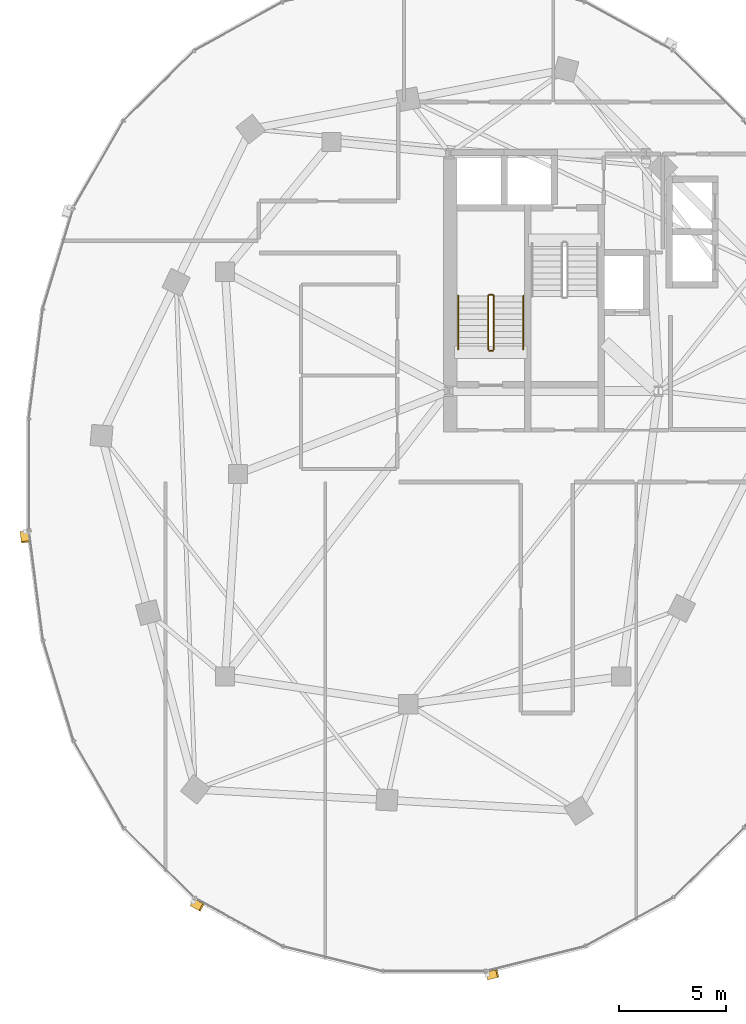
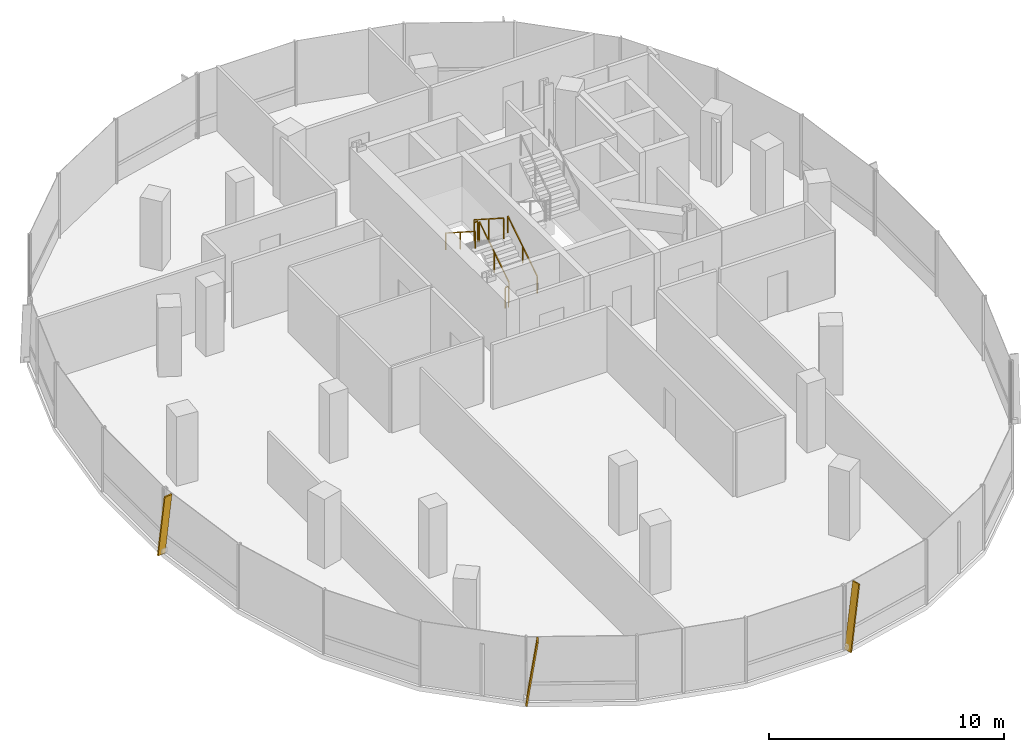
# One storey, part 18 of 22: 6 railings, 3 shading devices.
"""IFC4 building model written with IfcOpenShell, lengths in metres."""

from ifc_helpers import new_model, si_unit, direction, frame, origin, origin_2d, place, context, subcontext, project, spatial, rectangle, extrude, material, material_profile, profile_set, type_object, element, save


model = new_model("IFC4")

# Units and contexts
model_context = context("Model", 3, precision=1e-05, world=origin(), true_north=direction((0.0, 1.0)))
body_context = subcontext(model_context, "Body", "Model", "MODEL_VIEW")
ifc_project = project(units=[si_unit("LENGTHUNIT", "METRE"), si_unit("AREAUNIT", "SQUARE_METRE"), si_unit("VOLUMEUNIT", "CUBIC_METRE"), si_unit("PLANEANGLEUNIT", "RADIAN"), si_unit("MASSUNIT", "GRAM", prefix="KILO"), si_unit("THERMODYNAMICTEMPERATUREUNIT", "KELVIN"), si_unit("POWERUNIT", "WATT")], contexts=[model_context])

# Site, building, storey
site_placement = place(None, origin())
site = spatial("IfcSite", under=ifc_project, at=site_placement, CompositionType="ELEMENT")
building_placement = place(site_placement, origin())
building = spatial("IfcBuilding", under=site, at=building_placement, Name="Cundina Bronze Exchange", CompositionType="ELEMENT")
storey_placement = place(building_placement, frame((0.0, 0.0, 140.39990234375)))
storey = spatial("IfcBuildingStorey", under=building, at=storey_placement, Name="L36", CompositionType="ELEMENT", Elevation=140.39990234375)

# Railings
ifc_material_1 = material(Name="Steel ASTM A36 Painted", Category="steel")
railing_type_1 = type_object("IfcRailingType", Name="RLG-HND-900", PredefinedType="HANDRAIL", material=ifc_material_1)
railing_1_placement = place(storey_placement, frame((-27.7900390625, 5.85009765625, 0.18017578125)))
element("IfcRailing", 1, at=railing_1_placement, inside=storey, type_object=railing_type_1, Name="L36 ST-W1 stair handrail 1", PredefinedType="HANDRAIL", context=body_context, shape_type="SweptSolid", body=[
    extrude(rectangle(XDim=0.048095703125, YDim=0.048095703125, at=origin_2d()), frame((0.0, 0.0, 0.8759765625), z_axis=(0.0, 0.841199657755, 0.540724639528), x_axis=(-1.0, 0.0, 0.0)), (0.0, 0.0, 1.0), 2.995849609375),
    extrude(rectangle(XDim=0.0419921875, YDim=0.0419921875, at=origin_2d()), origin(), (0.0, 0.0, 1.0), 0.851806640625),
    extrude(rectangle(XDim=0.0419921875, YDim=0.0419921875, at=origin_2d()), frame((0.0, 1.260009765625, 0.81005859375)), (0.0, 0.0, 1.0), 0.851806640625),
    extrude(rectangle(XDim=0.0419921875, YDim=0.0419921875, at=origin_2d()), frame((0.0, 2.52001953125, 1.619873046875)), (0.0, 0.0, 1.0), 0.851806640625),
])
railing_2_placement = place(storey_placement, frame((-30.85009765625, 8.3701171875, 1.97998046875)))
element("IfcRailing", 2, at=railing_2_placement, inside=storey, type_object=railing_type_1, Name="L36 ST-W1 stair handrail 2", PredefinedType="HANDRAIL", context=body_context, shape_type="SweptSolid", body=[
    extrude(rectangle(XDim=0.048095703125, YDim=0.048095703125, at=origin_2d()), frame((0.0, 0.0, 0.8759765625), z_axis=(0.0, -0.841162588446, 0.540782303519), x_axis=(1.0, 0.0, 0.0)), (0.0, 0.0, 1.0), 2.995849609375),
    extrude(rectangle(XDim=0.0419921875, YDim=0.0419921875, at=origin_2d()), origin(), (0.0, 0.0, 1.0), 0.851806640625),
    extrude(rectangle(XDim=0.0419921875, YDim=0.0419921875, at=origin_2d()), frame((0.0, -1.260009765625, 0.81005859375)), (0.0, 0.0, 1.0), 0.851806640625),
    extrude(rectangle(XDim=0.0419921875, YDim=0.0419921875, at=origin_2d()), frame((0.0, -2.52001953125, 1.6201171875)), (0.0, 0.0, 1.0), 0.851806640625),
])
railing_type_2 = type_object("IfcRailingType", Name="RLG-STG-1100", PredefinedType="GUARDRAIL", material=ifc_material_1)
railing_3_placement = place(storey_placement, frame((-29.18994140625, 5.85009765625, 0.18017578125)))
element("IfcRailing", 3, at=railing_3_placement, inside=storey, type_object=railing_type_2, Name="L36 ST-W1 stair guard 1", PredefinedType="GUARDRAIL", context=body_context, shape_type="SweptSolid", body=[
    extrude(rectangle(XDim=0.048095703125, YDim=0.048095703125, at=origin_2d()), frame((0.0, 0.0, 1.076171875), z_axis=(0.0, 0.841199657755, 0.540724639528), x_axis=(-1.0, 0.0, 0.0)), (0.0, 0.0, 1.0), 2.995849609375),
    extrude(rectangle(XDim=0.0419921875, YDim=0.0419921875, at=origin_2d()), origin(), (0.0, 0.0, 1.0), 1.052001953125),
    extrude(rectangle(XDim=0.0419921875, YDim=0.0419921875, at=origin_2d()), frame((0.0, 1.260009765625, 0.81005859375)), (0.0, 0.0, 1.0), 1.052001953125),
    extrude(rectangle(XDim=0.0419921875, YDim=0.0419921875, at=origin_2d()), frame((0.0, 2.52001953125, 1.619873046875)), (0.0, 0.0, 1.0), 1.052001953125),
])
railing_4_placement = place(storey_placement, frame((-29.239990234375, 8.419921875, 1.800048828125)))
element("IfcRailing", 4, at=railing_4_placement, inside=storey, type_object=railing_type_2, Name="L36 ST-W1 stair guard 2", PredefinedType="GUARDRAIL", context=body_context, shape_type="SweptSolid", body=[
    extrude(rectangle(XDim=0.048095703125, YDim=0.048095703125, at=origin_2d()), frame((0.0, 0.0, 1.076171875), z_axis=(-1.0, 0.0, 0.0), x_axis=(0.0, -1.0, 0.0)), (0.0, 0.0, 1.0), 0.159912109375),
    extrude(rectangle(XDim=0.0419921875, YDim=0.0419921875, at=origin_2d()), origin(), (0.0, 0.0, 1.0), 1.052001953125),
    extrude(rectangle(XDim=0.0419921875, YDim=0.0419921875, at=origin_2d()), frame((-0.159912109375, 0.0, 0.0)), (0.0, 0.0, 1.0), 1.052001953125),
])
railing_5_placement = place(storey_placement, frame((-29.449951171875, 8.3701171875, 1.97998046875)))
element("IfcRailing", 5, at=railing_5_placement, inside=storey, type_object=railing_type_2, Name="L36 ST-W1 stair guard 3", PredefinedType="GUARDRAIL", context=body_context, shape_type="SweptSolid", body=[
    extrude(rectangle(XDim=0.048095703125, YDim=0.048095703125, at=origin_2d()), frame((0.0, 0.0, 1.076171875), z_axis=(0.0, -0.841162588446, 0.540782303519), x_axis=(1.0, 0.0, 0.0)), (0.0, 0.0, 1.0), 2.995849609375),
    extrude(rectangle(XDim=0.0419921875, YDim=0.0419921875, at=origin_2d()), origin(), (0.0, 0.0, 1.0), 1.052001953125),
    extrude(rectangle(XDim=0.0419921875, YDim=0.0419921875, at=origin_2d()), frame((0.0, -1.260009765625, 0.81005859375)), (0.0, 0.0, 1.0), 1.052001953125),
    extrude(rectangle(XDim=0.0419921875, YDim=0.0419921875, at=origin_2d()), frame((0.0, -2.52001953125, 1.6201171875)), (0.0, 0.0, 1.0), 1.052001953125),
])
railing_6_placement = place(storey_placement, frame((-29.239990234375, 5.800048828125, 0.0)))
element("IfcRailing", 6, at=railing_6_placement, inside=storey, type_object=railing_type_2, Name="L36 ST-W1 stair guard 4", PredefinedType="GUARDRAIL", context=body_context, shape_type="SweptSolid", body=[
    extrude(rectangle(XDim=0.048095703125, YDim=0.048095703125, at=origin_2d()), frame((0.0, 0.0, 1.076171875), z_axis=(-1.0, 0.0, 0.0), x_axis=(0.0, -1.0, 0.0)), (0.0, 0.0, 1.0), 0.159912109375),
    extrude(rectangle(XDim=0.0419921875, YDim=0.0419921875, at=origin_2d()), origin(), (0.0, 0.0, 1.0), 1.052001953125),
    extrude(rectangle(XDim=0.0419921875, YDim=0.0419921875, at=origin_2d()), frame((-0.159912109375, 0.0, 0.0)), (0.0, 0.0, 1.0), 1.052001953125),
])

# Shading devices
ifc_material_2 = material(Name="Anodised Bronze Aluminium 6063-T6", Category="aluminium")
ifc_material_profile = material_profile(ifc_material_2, rectangle(XDim=0.070068359375, YDim=0.3798828125, at=origin_2d()), Name="FIN70X380", Category="aluminium")
ifc_profile_set = profile_set([ifc_material_profile], Name="Anodised Bronze Aluminium 6063-T6")
shading_device_type = type_object("IfcShadingDeviceType", Name="SHD-FIN-BRZ380", PredefinedType="USERDEFINED", material=ifc_profile_set)
for number, where, z_axis, x_axis, name in (
    (7, (-51.23486328125, -2.705810546875, 0.02001953125), (0.018121805099, -0.141917750773, 0.989712560391), (-0.125360789044, 0.981741119016, 0.143070080046), "L36 Diagonal Bronze Solar Fin 1"),
    (8, (-43.320068359375, -20.11181640625, 0.02001953125), (0.125324460949, -0.068993954111, 0.989713905017), (-0.867011652888, 0.477309551067, 0.143060778049), "L36 Diagonal Bronze Solar Fin 5"),
    (9, (-29.48046875, -23.556396484375, 0.02001953125), (0.138788401144, 0.034715294885, 0.989713407007), (-0.960133415413, -0.240159223467, 0.14306422331), "L36 Diagonal Bronze Solar Fin 1"),
):
    element("IfcShadingDevice", number, at=place(storey_placement, frame(where, z_axis=z_axis, x_axis=x_axis)), inside=storey, type_object=shading_device_type, Name=name, ObjectType="FIN", PredefinedType="USERDEFINED", context=body_context, shape_type="SweptSolid", body=[
        extrude(rectangle(XDim=0.070068359375, YDim=0.3798828125, at=origin_2d()), origin(), (0.0, 0.0, 1.0), 3.3544921875),
    ])

save(model, "model.ifc")
